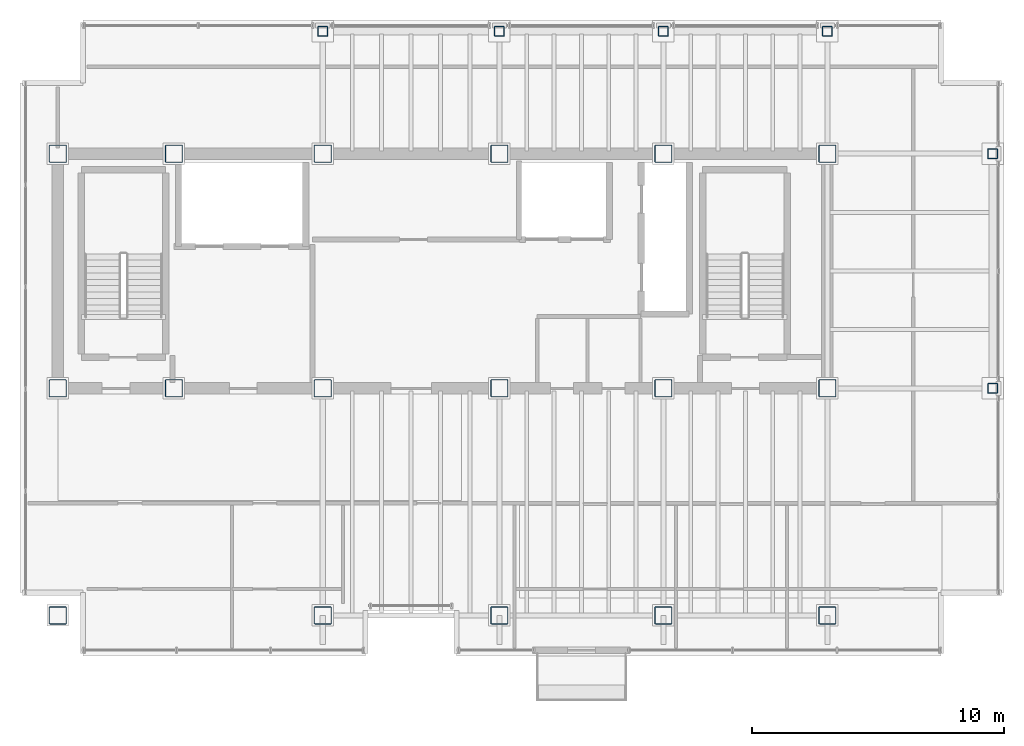
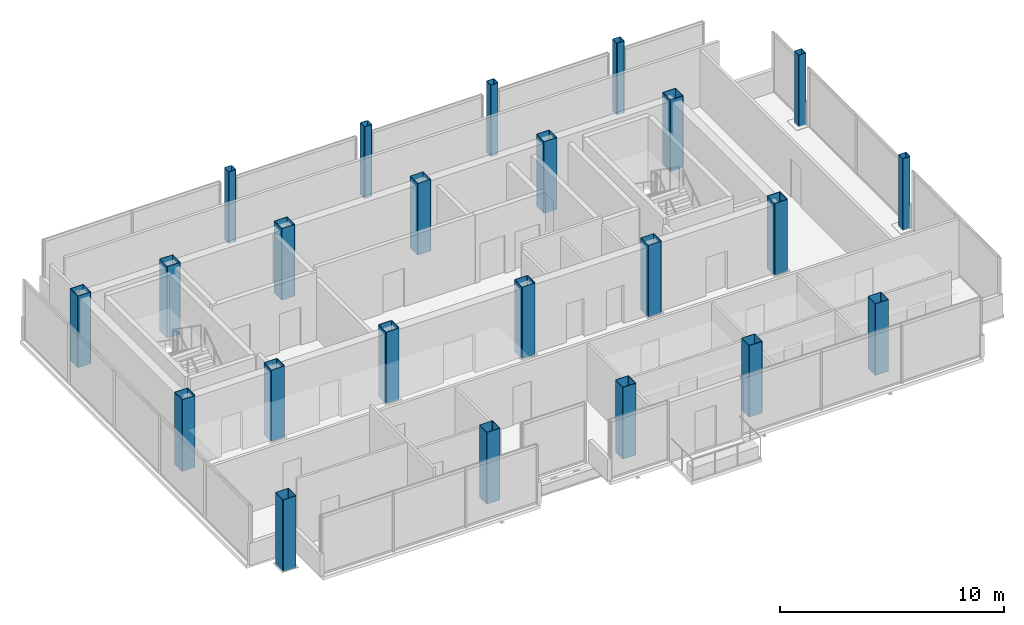
# One storey, part 1 of 17: 23 columns.
"""IFC4 building model written with IfcOpenShell, lengths in metres."""

from ifc_helpers import new_model, si_unit, direction, frame, origin, origin_2d, place, context, subcontext, project, spatial, hollow_rectangle, extrude, material, material_profile, profile_set, type_object, element, save


model = new_model("IFC4")

# Units and contexts
model_context = context("Model", 3, precision=1e-05, world=origin(), true_north=direction((0.0, 1.0)))
body_context = subcontext(model_context, "Body", "Model", "MODEL_VIEW")
ifc_project = project(units=[si_unit("LENGTHUNIT", "METRE"), si_unit("AREAUNIT", "SQUARE_METRE"), si_unit("VOLUMEUNIT", "CUBIC_METRE"), si_unit("PLANEANGLEUNIT", "RADIAN"), si_unit("MASSUNIT", "GRAM", prefix="KILO")], contexts=[model_context])

# Site, building, storey
site_placement = place(None, origin())
site = spatial("IfcSite", under=ifc_project, at=site_placement, CompositionType="ELEMENT")
building_placement = place(site_placement, origin())
building = spatial("IfcBuilding", under=site, at=building_placement, Name="Noeulbin Bourse Tower", CompositionType="ELEMENT")
storey_placement = place(building_placement, frame((0.0, 0.0, 289.10009765625)))
storey = spatial("IfcBuildingStorey", under=building, at=storey_placement, Name="L72", CompositionType="ELEMENT", Elevation=289.10009765625)

# Columns
ifc_material = material(Name="Steel S355", Category="steel")
ifc_material_profile_1 = material_profile(ifc_material, hollow_rectangle(XDim=0.39990234375, YDim=0.39990234375, WallThickness=0.02001953125, InnerFilletRadius=0.02001953125, OuterFilletRadius=0.0400390625, at=origin_2d()), Name="SHS-400x400x20", Category="LoadBearing")
ifc_profile_set_1 = profile_set([ifc_material_profile_1], Name="Steel S355")
column_type_1 = type_object("IfcColumnType", Name="COL-PER-Z4", PredefinedType="COLUMN", material=ifc_profile_set_1)
for number, where, z_axis, x_axis, name in (
    (1, (24.0, 43.14990234375, 0.0), (0.0, 0.0, 1.0), (1.0, 0.0, 0.0), "Tower Perimeter Column COL-PER-Z4 01"),
    (2, (31.0, 43.14990234375, 0.0), (0.0, 0.0, 1.0), (1.0, 0.0, 0.0), "Tower Perimeter Column COL-PER-Z4 02"),
    (3, (37.5, 43.14990234375, 0.0), (0.0, 0.0, 1.0), (1.0, 0.0, 0.0), "Tower Perimeter Column COL-PER-Z4 03"),
    (4, (44.0, 43.14990234375, 0.0), (0.0, 0.0, 1.0), (1.0, 0.0, 0.0), "Tower Perimeter Column COL-PER-Z4 04"),
    (5, (50.550048828125, 29.0, 0.0), (0.0, 0.0, 1.0), (1.0, 0.0, 0.0), "Tower Perimeter Column COL-PER-Z4 05"),
    (6, (50.550048828125, 38.300048828125, 0.0), (0.0, 0.0, 1.0), (1.0, 0.0, 0.0), "Tower Perimeter Column COL-PER-Z4 06"),
):
    element("IfcColumn", number, at=place(storey_placement, frame(where, z_axis=z_axis, x_axis=x_axis)), inside=storey, type_object=column_type_1, Name=name, PredefinedType="COLUMN", context=body_context, shape_type="SweptSolid", body=[
        extrude(hollow_rectangle(XDim=0.39990234375, YDim=0.39990234375, WallThickness=0.02001953125, InnerFilletRadius=0.02001953125, OuterFilletRadius=0.0400390625, at=origin_2d()), origin(), (0.0, 0.0, 1.0), 3.89990234375),
    ])
ifc_material_profile_2 = material_profile(ifc_material, hollow_rectangle(XDim=0.699951171875, YDim=0.699951171875, WallThickness=0.028076171875, InnerFilletRadius=0.013916015625, OuterFilletRadius=0.0419921875, at=origin_2d()), Name="BOX-700x700x28", Category="LoadBearing")
ifc_profile_set_2 = profile_set([ifc_material_profile_2], Name="Steel S355")
column_type_2 = type_object("IfcColumnType", Name="COL-TRK-Z4", PredefinedType="COLUMN", material=ifc_profile_set_2)
for number, where, z_axis, x_axis, name in (
    (7, (13.5, 29.0, 0.0), (0.0, 0.0, 1.0), (1.0, 0.0, 0.0), "Tower Trunk Mega-Column COL-TRK-Z4 01"),
    (8, (13.5, 38.300048828125, 0.0), (0.0, 0.0, 1.0), (1.0, 0.0, 0.0), "Tower Trunk Mega-Column COL-TRK-Z4 02"),
    (9, (18.10009765625, 29.0, 0.0), (0.0, 0.0, 1.0), (1.0, 0.0, 0.0), "Tower Trunk Mega-Column COL-TRK-Z4 03"),
    (10, (18.10009765625, 38.300048828125, 0.0), (0.0, 0.0, 1.0), (1.0, 0.0, 0.0), "Tower Trunk Mega-Column COL-TRK-Z4 04"),
    (11, (24.0, 29.0, 0.0), (0.0, 0.0, 1.0), (1.0, 0.0, 0.0), "Tower Trunk Mega-Column COL-TRK-Z4 05"),
    (12, (24.0, 38.300048828125, 0.0), (0.0, 0.0, 1.0), (1.0, 0.0, 0.0), "Tower Trunk Mega-Column COL-TRK-Z4 06"),
    (13, (31.0, 29.0, 0.0), (0.0, 0.0, 1.0), (1.0, 0.0, 0.0), "Tower Trunk Mega-Column COL-TRK-Z4 07"),
    (14, (31.0, 38.300048828125, 0.0), (0.0, 0.0, 1.0), (1.0, 0.0, 0.0), "Tower Trunk Mega-Column COL-TRK-Z4 08"),
    (15, (37.5, 29.0, 0.0), (0.0, 0.0, 1.0), (1.0, 0.0, 0.0), "Tower Trunk Mega-Column COL-TRK-Z4 09"),
    (16, (37.5, 38.300048828125, 0.0), (0.0, 0.0, 1.0), (1.0, 0.0, 0.0), "Tower Trunk Mega-Column COL-TRK-Z4 10"),
    (17, (44.0, 29.0, 0.0), (0.0, 0.0, 1.0), (1.0, 0.0, 0.0), "Tower Trunk Mega-Column COL-TRK-Z4 11"),
    (18, (44.0, 38.300048828125, 0.0), (0.0, 0.0, 1.0), (1.0, 0.0, 0.0), "Tower Trunk Mega-Column COL-TRK-Z4 12"),
    (19, (13.5, 20.0, 0.0), (0.0, 0.0, 1.0), (1.0, 0.0, 0.0), "Tower Trunk Mega-Column COL-TRK-Z4 13"),
    (20, (24.0, 20.0, 0.0), (0.0, 0.0, 1.0), (1.0, 0.0, 0.0), "Tower Trunk Mega-Column COL-TRK-Z4 14"),
    (21, (31.0, 20.0, 0.0), (0.0, 0.0, 1.0), (1.0, 0.0, 0.0), "Tower Trunk Mega-Column COL-TRK-Z4 15"),
    (22, (37.5, 20.0, 0.0), (0.0, 0.0, 1.0), (1.0, 0.0, 0.0), "Tower Trunk Mega-Column COL-TRK-Z4 16"),
    (23, (44.0, 20.0, 0.0), (0.0, 0.0, 1.0), (1.0, 0.0, 0.0), "Tower Trunk Mega-Column COL-TRK-Z4 17"),
):
    element("IfcColumn", number, at=place(storey_placement, frame(where, z_axis=z_axis, x_axis=x_axis)), inside=storey, type_object=column_type_2, Name=name, PredefinedType="COLUMN", context=body_context, shape_type="SweptSolid", body=[
        extrude(hollow_rectangle(XDim=0.699951171875, YDim=0.699951171875, WallThickness=0.028076171875, InnerFilletRadius=0.013916015625, OuterFilletRadius=0.0419921875, at=origin_2d()), origin(), (0.0, 0.0, 1.0), 3.89990234375),
    ])

save(model, "model.ifc")
